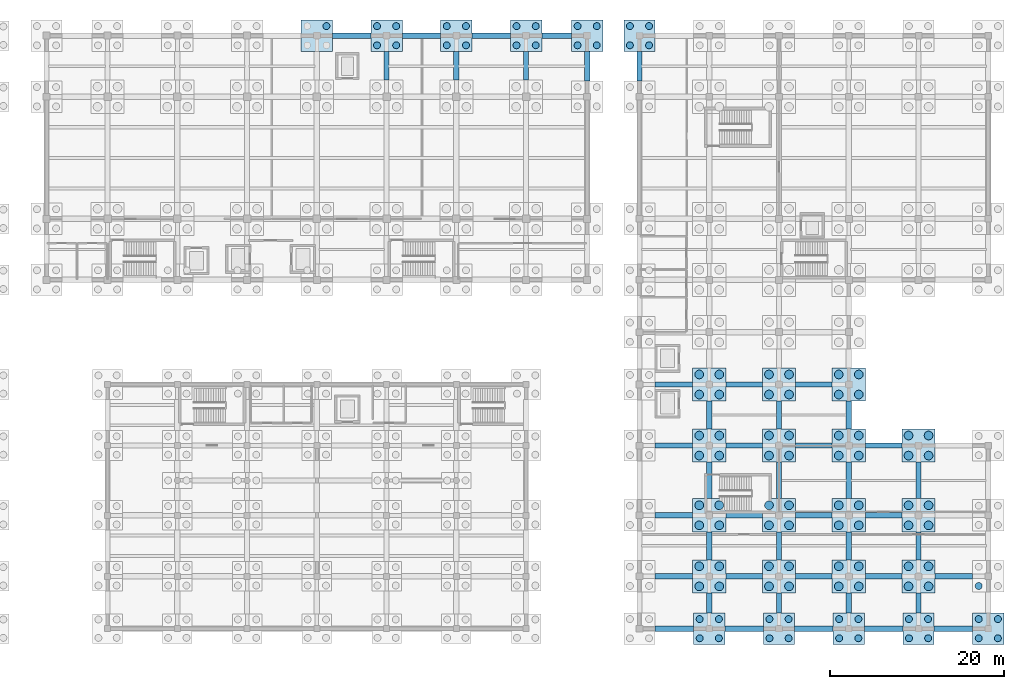
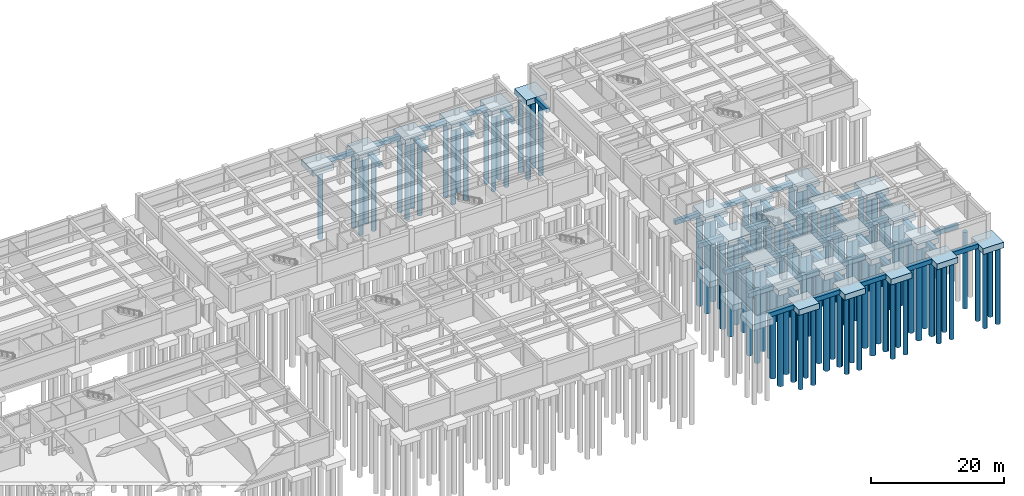
# One storey, part 6 of 28: 102 piles, 71 footings.
"""IFC4 building model written with IfcOpenShell, lengths in metres."""

from ifc_helpers import new_model, si_unit, direction, frame, origin, origin_2d, place, context, subcontext, project, spatial, rectangle, circle, extrude, material, material_profile, profile_set, type_object, element, save


model = new_model("IFC4")

# Units and contexts
model_context = context("Model", 3, precision=1e-05, world=origin(), true_north=direction((0.0, 1.0)))
body_context = subcontext(model_context, "Body", "Model", "MODEL_VIEW")
ifc_project = project(units=[si_unit("LENGTHUNIT", "METRE"), si_unit("AREAUNIT", "SQUARE_METRE"), si_unit("VOLUMEUNIT", "CUBIC_METRE"), si_unit("PLANEANGLEUNIT", "RADIAN"), si_unit("MASSUNIT", "GRAM", prefix="KILO")], contexts=[model_context])

# Site, building, storey
site_placement = place(None, origin())
site = spatial("IfcSite", under=ifc_project, at=site_placement, CompositionType="ELEMENT")
building_placement = place(site_placement, origin())
building = spatial("IfcBuilding", under=site, at=building_placement, Name="Naurynzar Civic Courthouse", CompositionType="ELEMENT")
storey_placement = place(building_placement, frame((0.0, 0.0, -4.5)))
storey = spatial("IfcBuildingStorey", under=building, at=storey_placement, Name="B01", CompositionType="ELEMENT", Elevation=-4.5)

# Footings
ifc_material_1 = material(Name="Concrete C35/45", Category="concrete")
footing_type_1 = type_object("IfcFootingType", Name="CAP-4B-3800", PredefinedType="PILE_CAP", material=ifc_material_1)
for number, where, z_axis, x_axis, name in (
    (1, (138.0, 10.0, -1.449951171875), (0.0, 0.0, 1.0), (1.0, 0.0, 0.0), "V5 pile cap 12"),
    (2, (138.0, 17.0, -1.449951171875), (0.0, 0.0, 1.0), (1.0, 0.0, 0.0), "V5 pile cap 13"),
    (3, (138.0, 25.0, -1.449951171875), (0.0, 0.0, 1.0), (1.0, 0.0, 0.0), "V5 pile cap 14"),
    (4, (138.0, 32.0, -1.449951171875), (0.0, 0.0, 1.0), (1.0, 0.0, 0.0), "V5 pile cap 15"),
    (5, (146.0, 10.0, -1.449951171875), (0.0, 0.0, 1.0), (1.0, 0.0, 0.0), "V5 pile cap 22"),
    (6, (146.0, 17.0, -1.449951171875), (0.0, 0.0, 1.0), (1.0, 0.0, 0.0), "V5 pile cap 23"),
    (7, (146.0, 25.0, -1.449951171875), (0.0, 0.0, 1.0), (1.0, 0.0, 0.0), "V5 pile cap 24"),
    (8, (146.0, 32.0, -1.449951171875), (0.0, 0.0, 1.0), (1.0, 0.0, 0.0), "V5 pile cap 25"),
    (9, (154.0, 10.0, -1.449951171875), (0.0, 0.0, 1.0), (1.0, 0.0, 0.0), "V5 pile cap 32"),
    (10, (154.0, 17.0, -1.449951171875), (0.0, 0.0, 1.0), (1.0, 0.0, 0.0), "V5 pile cap 33"),
    (11, (154.0, 25.0, -1.449951171875), (0.0, 0.0, 1.0), (1.0, 0.0, 0.0), "V5 pile cap 34"),
    (12, (154.0, 32.0, -1.449951171875), (0.0, 0.0, 1.0), (1.0, 0.0, 0.0), "V5 pile cap 35"),
    (13, (162.0, 10.0, -1.449951171875), (0.0, 0.0, 1.0), (1.0, 0.0, 0.0), "V5 pile cap 42"),
    (14, (162.0, 17.0, -1.449951171875), (0.0, 0.0, 1.0), (1.0, 0.0, 0.0), "V5 pile cap 43"),
    (15, (162.0, 25.0, -1.449951171875), (0.0, 0.0, 1.0), (1.0, 0.0, 0.0), "V5 pile cap 44"),
):
    element("IfcFooting", number, at=place(storey_placement, frame(where, z_axis=z_axis, x_axis=x_axis)), inside=storey, type_object=footing_type_1, Name=name, PredefinedType="PILE_CAP", context=body_context, shape_type="SweptSolid", body=[
        extrude(rectangle(XDim=3.800048828125, YDim=3.800048828125, at=origin_2d()), origin(), (0.0, 0.0, 1.0), 1.0),
    ])
ifc_material_2 = material(Name="Concrete C35/45", Category="concrete")
footing_type_2 = type_object("IfcFootingType", Name="CAP-4C-3600", PredefinedType="PILE_CAP", material=ifc_material_2)
for number, where, z_axis, x_axis, name in (
    (16, (93.0, 72.0, -1.5), (0.0, 0.0, 1.0), (1.0, 0.0, 0.0), "V2 pile cap 20"),
    (17, (101.0, 72.0, -1.5), (0.0, 0.0, 1.0), (1.0, 0.0, 0.0), "V2 pile cap 24"),
    (18, (109.0, 72.0, -1.5), (0.0, 0.0, 1.0), (1.0, 0.0, 0.0), "V2 pile cap 28"),
    (19, (117.0, 72.0, -1.5), (0.0, 0.0, 1.0), (1.0, 0.0, 0.0), "V2 pile cap 32"),
    (20, (124.0, 72.0, -1.5), (0.0, 0.0, 1.0), (1.0, 0.0, 0.0), "V2 pile cap 36"),
    (21, (130.0, 72.0, -1.5), (0.0, 0.0, 1.0), (1.0, 0.0, 0.0), "V5 pile cap 10"),
    (22, (138.0, 4.0, -1.5), (0.0, 0.0, 1.0), (1.0, 0.0, 0.0), "V5 pile cap 11"),
    (23, (146.0, 4.0, -1.5), (0.0, 0.0, 1.0), (1.0, 0.0, 0.0), "V5 pile cap 21"),
    (24, (154.0, 4.0, -1.5), (0.0, 0.0, 1.0), (1.0, 0.0, 0.0), "V5 pile cap 31"),
    (25, (162.0, 4.0, -1.5), (0.0, 0.0, 1.0), (1.0, 0.0, 0.0), "V5 pile cap 41"),
    (26, (170.0, 4.0, -1.5), (0.0, 0.0, 1.0), (1.0, 0.0, 0.0), "V5 pile cap 49"),
):
    element("IfcFooting", number, at=place(storey_placement, frame(where, z_axis=z_axis, x_axis=x_axis)), inside=storey, type_object=footing_type_2, Name=name, PredefinedType="PILE_CAP", context=body_context, shape_type="SweptSolid", body=[
        extrude(rectangle(XDim=3.60009765625, YDim=3.60009765625, at=origin_2d()), origin(), (0.0, 0.0, 1.0), 1.050048828125),
    ])
ifc_material_3 = material(Name="Concrete C35/45", Category="concrete")
ifc_material_profile_1 = material_profile(ifc_material_3, rectangle(XDim=0.60009765625, YDim=0.800048828125, at=origin_2d()), Name="GB 600x800")
ifc_profile_set_1 = profile_set([ifc_material_profile_1], Name="Concrete C35/45")
footing_type_3 = type_object("IfcFootingType", Name="GB-600x800", PredefinedType="FOOTING_BEAM", material=ifc_profile_set_1)
for number, where, z_axis, x_axis, name in (
    (27, (94.800048828125, 72.0, -0.85009765625), (1.0, 0.0, 0.0), (0.0, 1.0, 0.0), "V2 ground tie beam X-29"),
    (28, (102.800048828125, 72.0, -0.85009765625), (1.0, 0.0, 0.0), (0.0, 1.0, 0.0), "V2 ground tie beam X-30"),
    (29, (110.800048828125, 72.0, -0.85009765625), (1.0, 0.0, 0.0), (0.0, 1.0, 0.0), "V2 ground tie beam X-31"),
):
    element("IfcFooting", number, at=place(storey_placement, frame(where, z_axis=z_axis, x_axis=x_axis)), inside=storey, type_object=footing_type_3, Name=name, PredefinedType="FOOTING_BEAM", context=body_context, shape_type="SweptSolid", body=[
        extrude(rectangle(XDim=0.60009765625, YDim=0.800048828125, at=origin_2d()), origin(), (0.0, 0.0, 1.0), 4.39990234375),
    ])
footing_1_placement = place(storey_placement, frame((118.800048828125, 72.0, -0.85009765625), z_axis=(1.0, 0.0, 0.0), x_axis=(0.0, 1.0, 0.0)))
element("IfcFooting", 30, at=footing_1_placement, inside=storey, type_object=footing_type_3, Name="V2 ground tie beam X-32", PredefinedType="FOOTING_BEAM", context=body_context, shape_type="SweptSolid", body=[
    extrude(rectangle(XDim=0.60009765625, YDim=0.800048828125, at=origin_2d()), origin(), (0.0, 0.0, 1.0), 3.39990234375),
])
for number, where, z_axis, x_axis, name in (
    (31, (101.0, 66.89990234375, -0.85009765625), (0.0, 1.0, 0.0), (-1.0, 0.0, 0.0), "V2 ground tie beam Y-50"),
    (32, (109.0, 66.89990234375, -0.85009765625), (0.0, 1.0, 0.0), (-1.0, 0.0, 0.0), "V2 ground tie beam Y-53"),
    (33, (117.0, 66.89990234375, -0.85009765625), (0.0, 1.0, 0.0), (-1.0, 0.0, 0.0), "V2 ground tie beam Y-56"),
):
    element("IfcFooting", number, at=place(storey_placement, frame(where, z_axis=z_axis, x_axis=x_axis)), inside=storey, type_object=footing_type_3, Name=name, PredefinedType="FOOTING_BEAM", context=body_context, shape_type="SweptSolid", body=[
        extrude(rectangle(XDim=0.60009765625, YDim=0.800048828125, at=origin_2d()), origin(), (0.0, 0.0, 1.0), 3.300048828125),
    ])
footing_2_placement = place(storey_placement, frame((124.0, 66.800048828125, -0.85009765625), z_axis=(0.0, 1.0, 0.0), x_axis=(-1.0, 0.0, 0.0)))
element("IfcFooting", 34, at=footing_2_placement, inside=storey, type_object=footing_type_3, Name="V2 ground tie beam Y-59", PredefinedType="FOOTING_BEAM", context=body_context, shape_type="SweptSolid", body=[
    extrude(rectangle(XDim=0.60009765625, YDim=0.800048828125, at=origin_2d()), origin(), (0.0, 0.0, 1.0), 3.39990234375),
])
for number, where, z_axis, x_axis, name in (
    (35, (131.800048828125, 4.0, -0.85009765625), (1.0, 0.0, 0.0), (0.0, 1.0, 0.0), "V5 ground tie beam X-1"),
    (36, (139.800048828125, 4.0, -0.85009765625), (1.0, 0.0, 0.0), (0.0, 1.0, 0.0), "V5 ground tie beam X-2"),
    (37, (147.800048828125, 4.0, -0.85009765625), (1.0, 0.0, 0.0), (0.0, 1.0, 0.0), "V5 ground tie beam X-3"),
    (38, (155.800048828125, 4.0, -0.85009765625), (1.0, 0.0, 0.0), (0.0, 1.0, 0.0), "V5 ground tie beam X-4"),
    (39, (163.800048828125, 4.0, -0.85009765625), (1.0, 0.0, 0.0), (0.0, 1.0, 0.0), "V5 ground tie beam X-5"),
):
    element("IfcFooting", number, at=place(storey_placement, frame(where, z_axis=z_axis, x_axis=x_axis)), inside=storey, type_object=footing_type_3, Name=name, PredefinedType="FOOTING_BEAM", context=body_context, shape_type="SweptSolid", body=[
        extrude(rectangle(XDim=0.60009765625, YDim=0.800048828125, at=origin_2d()), origin(), (0.0, 0.0, 1.0), 4.39990234375),
    ])
footing_3_placement = place(storey_placement, frame((131.800048828125, 10.0, -0.85009765625), z_axis=(1.0, 0.0, 0.0), x_axis=(0.0, 1.0, 0.0)))
element("IfcFooting", 40, at=footing_3_placement, inside=storey, type_object=footing_type_3, Name="V5 ground tie beam X-6", PredefinedType="FOOTING_BEAM", context=body_context, shape_type="SweptSolid", body=[
    extrude(rectangle(XDim=0.60009765625, YDim=0.800048828125, at=origin_2d()), origin(), (0.0, 0.0, 1.0), 4.300048828125),
])
for number, where, z_axis, x_axis, name in (
    (41, (139.89990234375, 10.0, -0.85009765625), (1.0, 0.0, 0.0), (0.0, 1.0, 0.0), "V5 ground tie beam X-7"),
    (42, (147.89990234375, 10.0, -0.85009765625), (1.0, 0.0, 0.0), (0.0, 1.0, 0.0), "V5 ground tie beam X-8"),
    (43, (155.89990234375, 10.0, -0.85009765625), (1.0, 0.0, 0.0), (0.0, 1.0, 0.0), "V5 ground tie beam X-9"),
):
    element("IfcFooting", number, at=place(storey_placement, frame(where, z_axis=z_axis, x_axis=x_axis)), inside=storey, type_object=footing_type_3, Name=name, PredefinedType="FOOTING_BEAM", context=body_context, shape_type="SweptSolid", body=[
        extrude(rectangle(XDim=0.60009765625, YDim=0.800048828125, at=origin_2d()), origin(), (0.0, 0.0, 1.0), 4.2001953125),
    ])
for number, where, z_axis, x_axis, name in (
    (44, (163.89990234375, 10.0, -0.85009765625), (1.0, 0.0, 0.0), (0.0, 1.0, 0.0), "V5 ground tie beam X-10"),
    (45, (131.800048828125, 17.0, -0.85009765625), (1.0, 0.0, 0.0), (0.0, 1.0, 0.0), "V5 ground tie beam X-11"),
):
    element("IfcFooting", number, at=place(storey_placement, frame(where, z_axis=z_axis, x_axis=x_axis)), inside=storey, type_object=footing_type_3, Name=name, PredefinedType="FOOTING_BEAM", context=body_context, shape_type="SweptSolid", body=[
        extrude(rectangle(XDim=0.60009765625, YDim=0.800048828125, at=origin_2d()), origin(), (0.0, 0.0, 1.0), 4.300048828125),
    ])
for number, where, z_axis, x_axis, name in (
    (46, (139.89990234375, 17.0, -0.85009765625), (1.0, 0.0, 0.0), (0.0, 1.0, 0.0), "V5 ground tie beam X-12"),
    (47, (147.89990234375, 17.0, -0.85009765625), (1.0, 0.0, 0.0), (0.0, 1.0, 0.0), "V5 ground tie beam X-13"),
    (48, (155.89990234375, 17.0, -0.85009765625), (1.0, 0.0, 0.0), (0.0, 1.0, 0.0), "V5 ground tie beam X-14"),
):
    element("IfcFooting", number, at=place(storey_placement, frame(where, z_axis=z_axis, x_axis=x_axis)), inside=storey, type_object=footing_type_3, Name=name, PredefinedType="FOOTING_BEAM", context=body_context, shape_type="SweptSolid", body=[
        extrude(rectangle(XDim=0.60009765625, YDim=0.800048828125, at=origin_2d()), origin(), (0.0, 0.0, 1.0), 4.2001953125),
    ])
footing_4_placement = place(storey_placement, frame((131.800048828125, 25.0, -0.85009765625), z_axis=(1.0, 0.0, 0.0), x_axis=(0.0, 1.0, 0.0)))
element("IfcFooting", 49, at=footing_4_placement, inside=storey, type_object=footing_type_3, Name="V5 ground tie beam X-16", PredefinedType="FOOTING_BEAM", context=body_context, shape_type="SweptSolid", body=[
    extrude(rectangle(XDim=0.60009765625, YDim=0.800048828125, at=origin_2d()), origin(), (0.0, 0.0, 1.0), 4.300048828125),
])
for number, where, z_axis, x_axis, name in (
    (50, (139.89990234375, 25.0, -0.85009765625), (1.0, 0.0, 0.0), (0.0, 1.0, 0.0), "V5 ground tie beam X-17"),
    (51, (147.89990234375, 25.0, -0.85009765625), (1.0, 0.0, 0.0), (0.0, 1.0, 0.0), "V5 ground tie beam X-18"),
    (52, (155.89990234375, 25.0, -0.85009765625), (1.0, 0.0, 0.0), (0.0, 1.0, 0.0), "V5 ground tie beam X-19"),
):
    element("IfcFooting", number, at=place(storey_placement, frame(where, z_axis=z_axis, x_axis=x_axis)), inside=storey, type_object=footing_type_3, Name=name, PredefinedType="FOOTING_BEAM", context=body_context, shape_type="SweptSolid", body=[
        extrude(rectangle(XDim=0.60009765625, YDim=0.800048828125, at=origin_2d()), origin(), (0.0, 0.0, 1.0), 4.2001953125),
    ])
footing_5_placement = place(storey_placement, frame((131.800048828125, 32.0, -0.85009765625), z_axis=(1.0, 0.0, 0.0), x_axis=(0.0, 1.0, 0.0)))
element("IfcFooting", 53, at=footing_5_placement, inside=storey, type_object=footing_type_3, Name="V5 ground tie beam X-21", PredefinedType="FOOTING_BEAM", context=body_context, shape_type="SweptSolid", body=[
    extrude(rectangle(XDim=0.60009765625, YDim=0.800048828125, at=origin_2d()), origin(), (0.0, 0.0, 1.0), 4.300048828125),
])
for number, where, z_axis, x_axis, name in (
    (54, (139.89990234375, 32.0, -0.85009765625), (1.0, 0.0, 0.0), (0.0, 1.0, 0.0), "V5 ground tie beam X-22"),
    (55, (147.89990234375, 32.0, -0.85009765625), (1.0, 0.0, 0.0), (0.0, 1.0, 0.0), "V5 ground tie beam X-23"),
):
    element("IfcFooting", number, at=place(storey_placement, frame(where, z_axis=z_axis, x_axis=x_axis)), inside=storey, type_object=footing_type_3, Name=name, PredefinedType="FOOTING_BEAM", context=body_context, shape_type="SweptSolid", body=[
        extrude(rectangle(XDim=0.60009765625, YDim=0.800048828125, at=origin_2d()), origin(), (0.0, 0.0, 1.0), 4.2001953125),
    ])
footing_6_placement = place(storey_placement, frame((130.0, 66.800048828125, -0.85009765625), z_axis=(0.0, 1.0, 0.0), x_axis=(-1.0, 0.0, 0.0)))
element("IfcFooting", 56, at=footing_6_placement, inside=storey, type_object=footing_type_3, Name="V5 ground tie beam Y-55", PredefinedType="FOOTING_BEAM", context=body_context, shape_type="SweptSolid", body=[
    extrude(rectangle(XDim=0.60009765625, YDim=0.800048828125, at=origin_2d()), origin(), (0.0, 0.0, 1.0), 3.39990234375),
])
footing_7_placement = place(storey_placement, frame((138.0, 5.800048828125, -0.85009765625), z_axis=(0.0, 1.0, 0.0), x_axis=(-1.0, 0.0, 0.0)))
element("IfcFooting", 57, at=footing_7_placement, inside=storey, type_object=footing_type_3, Name="V5 ground tie beam Y-56", PredefinedType="FOOTING_BEAM", context=body_context, shape_type="SweptSolid", body=[
    extrude(rectangle(XDim=0.60009765625, YDim=0.800048828125, at=origin_2d()), origin(), (0.0, 0.0, 1.0), 2.300048828125),
])
footing_8_placement = place(storey_placement, frame((138.0, 11.89990234375, -0.85009765625), z_axis=(0.0, 1.0, 0.0), x_axis=(-1.0, 0.0, 0.0)))
element("IfcFooting", 58, at=footing_8_placement, inside=storey, type_object=footing_type_3, Name="V5 ground tie beam Y-57", PredefinedType="FOOTING_BEAM", context=body_context, shape_type="SweptSolid", body=[
    extrude(rectangle(XDim=0.60009765625, YDim=0.800048828125, at=origin_2d()), origin(), (0.0, 0.0, 1.0), 3.2001953125),
])
footing_9_placement = place(storey_placement, frame((138.0, 18.89990234375, -0.85009765625), z_axis=(0.0, 1.0, 0.0), x_axis=(-1.0, 0.0, 0.0)))
element("IfcFooting", 59, at=footing_9_placement, inside=storey, type_object=footing_type_3, Name="V5 ground tie beam Y-58", PredefinedType="FOOTING_BEAM", context=body_context, shape_type="SweptSolid", body=[
    extrude(rectangle(XDim=0.60009765625, YDim=0.800048828125, at=origin_2d()), origin(), (0.0, 0.0, 1.0), 4.2001953125),
])
footing_10_placement = place(storey_placement, frame((138.0, 26.89990234375, -0.85009765625), z_axis=(0.0, 1.0, 0.0), x_axis=(-1.0, 0.0, 0.0)))
element("IfcFooting", 60, at=footing_10_placement, inside=storey, type_object=footing_type_3, Name="V5 ground tie beam Y-59", PredefinedType="FOOTING_BEAM", context=body_context, shape_type="SweptSolid", body=[
    extrude(rectangle(XDim=0.60009765625, YDim=0.800048828125, at=origin_2d()), origin(), (0.0, 0.0, 1.0), 3.2001953125),
])
footing_11_placement = place(storey_placement, frame((146.0, 5.800048828125, -0.85009765625), z_axis=(0.0, 1.0, 0.0), x_axis=(-1.0, 0.0, 0.0)))
element("IfcFooting", 61, at=footing_11_placement, inside=storey, type_object=footing_type_3, Name="V5 ground tie beam Y-65", PredefinedType="FOOTING_BEAM", context=body_context, shape_type="SweptSolid", body=[
    extrude(rectangle(XDim=0.60009765625, YDim=0.800048828125, at=origin_2d()), origin(), (0.0, 0.0, 1.0), 2.300048828125),
])
footing_12_placement = place(storey_placement, frame((146.0, 11.89990234375, -0.85009765625), z_axis=(0.0, 1.0, 0.0), x_axis=(-1.0, 0.0, 0.0)))
element("IfcFooting", 62, at=footing_12_placement, inside=storey, type_object=footing_type_3, Name="V5 ground tie beam Y-66", PredefinedType="FOOTING_BEAM", context=body_context, shape_type="SweptSolid", body=[
    extrude(rectangle(XDim=0.60009765625, YDim=0.800048828125, at=origin_2d()), origin(), (0.0, 0.0, 1.0), 3.2001953125),
])
footing_13_placement = place(storey_placement, frame((146.0, 18.89990234375, -0.85009765625), z_axis=(0.0, 1.0, 0.0), x_axis=(-1.0, 0.0, 0.0)))
element("IfcFooting", 63, at=footing_13_placement, inside=storey, type_object=footing_type_3, Name="V5 ground tie beam Y-67", PredefinedType="FOOTING_BEAM", context=body_context, shape_type="SweptSolid", body=[
    extrude(rectangle(XDim=0.60009765625, YDim=0.800048828125, at=origin_2d()), origin(), (0.0, 0.0, 1.0), 4.2001953125),
])
footing_14_placement = place(storey_placement, frame((146.0, 26.89990234375, -0.85009765625), z_axis=(0.0, 1.0, 0.0), x_axis=(-1.0, 0.0, 0.0)))
element("IfcFooting", 64, at=footing_14_placement, inside=storey, type_object=footing_type_3, Name="V5 ground tie beam Y-68", PredefinedType="FOOTING_BEAM", context=body_context, shape_type="SweptSolid", body=[
    extrude(rectangle(XDim=0.60009765625, YDim=0.800048828125, at=origin_2d()), origin(), (0.0, 0.0, 1.0), 3.2001953125),
])
footing_15_placement = place(storey_placement, frame((154.0, 5.800048828125, -0.85009765625), z_axis=(0.0, 1.0, 0.0), x_axis=(-1.0, 0.0, 0.0)))
element("IfcFooting", 65, at=footing_15_placement, inside=storey, type_object=footing_type_3, Name="V5 ground tie beam Y-74", PredefinedType="FOOTING_BEAM", context=body_context, shape_type="SweptSolid", body=[
    extrude(rectangle(XDim=0.60009765625, YDim=0.800048828125, at=origin_2d()), origin(), (0.0, 0.0, 1.0), 2.300048828125),
])
footing_16_placement = place(storey_placement, frame((154.0, 11.89990234375, -0.85009765625), z_axis=(0.0, 1.0, 0.0), x_axis=(-1.0, 0.0, 0.0)))
element("IfcFooting", 66, at=footing_16_placement, inside=storey, type_object=footing_type_3, Name="V5 ground tie beam Y-75", PredefinedType="FOOTING_BEAM", context=body_context, shape_type="SweptSolid", body=[
    extrude(rectangle(XDim=0.60009765625, YDim=0.800048828125, at=origin_2d()), origin(), (0.0, 0.0, 1.0), 3.2001953125),
])
footing_17_placement = place(storey_placement, frame((154.0, 18.89990234375, -0.85009765625), z_axis=(0.0, 1.0, 0.0), x_axis=(-1.0, 0.0, 0.0)))
element("IfcFooting", 67, at=footing_17_placement, inside=storey, type_object=footing_type_3, Name="V5 ground tie beam Y-76", PredefinedType="FOOTING_BEAM", context=body_context, shape_type="SweptSolid", body=[
    extrude(rectangle(XDim=0.60009765625, YDim=0.800048828125, at=origin_2d()), origin(), (0.0, 0.0, 1.0), 4.2001953125),
])
footing_18_placement = place(storey_placement, frame((154.0, 26.89990234375, -0.85009765625), z_axis=(0.0, 1.0, 0.0), x_axis=(-1.0, 0.0, 0.0)))
element("IfcFooting", 68, at=footing_18_placement, inside=storey, type_object=footing_type_3, Name="V5 ground tie beam Y-77", PredefinedType="FOOTING_BEAM", context=body_context, shape_type="SweptSolid", body=[
    extrude(rectangle(XDim=0.60009765625, YDim=0.800048828125, at=origin_2d()), origin(), (0.0, 0.0, 1.0), 3.2001953125),
])
footing_19_placement = place(storey_placement, frame((162.0, 5.800048828125, -0.85009765625), z_axis=(0.0, 1.0, 0.0), x_axis=(-1.0, 0.0, 0.0)))
element("IfcFooting", 69, at=footing_19_placement, inside=storey, type_object=footing_type_3, Name="V5 ground tie beam Y-83", PredefinedType="FOOTING_BEAM", context=body_context, shape_type="SweptSolid", body=[
    extrude(rectangle(XDim=0.60009765625, YDim=0.800048828125, at=origin_2d()), origin(), (0.0, 0.0, 1.0), 2.300048828125),
])
footing_20_placement = place(storey_placement, frame((162.0, 11.89990234375, -0.85009765625), z_axis=(0.0, 1.0, 0.0), x_axis=(-1.0, 0.0, 0.0)))
element("IfcFooting", 70, at=footing_20_placement, inside=storey, type_object=footing_type_3, Name="V5 ground tie beam Y-84", PredefinedType="FOOTING_BEAM", context=body_context, shape_type="SweptSolid", body=[
    extrude(rectangle(XDim=0.60009765625, YDim=0.800048828125, at=origin_2d()), origin(), (0.0, 0.0, 1.0), 3.2001953125),
])
footing_21_placement = place(storey_placement, frame((162.0, 18.89990234375, -0.85009765625), z_axis=(0.0, 1.0, 0.0), x_axis=(-1.0, 0.0, 0.0)))
element("IfcFooting", 71, at=footing_21_placement, inside=storey, type_object=footing_type_3, Name="V5 ground tie beam Y-85", PredefinedType="FOOTING_BEAM", context=body_context, shape_type="SweptSolid", body=[
    extrude(rectangle(XDim=0.60009765625, YDim=0.800048828125, at=origin_2d()), origin(), (0.0, 0.0, 1.0), 4.2001953125),
])

# Piles
ifc_material_4 = material(Name="Concrete C35/45", Category="concrete")
ifc_material_profile_2 = material_profile(ifc_material_4, circle(Radius=0.5, at=origin_2d()), Name="PILE D1000")
ifc_profile_set_2 = profile_set([ifc_material_profile_2], Name="Concrete C35/45")
pile_type_1 = type_object("IfcPileType", Name="PILE-BORED-D1000", PredefinedType="BORED", material=ifc_profile_set_2)
for number, where, z_axis, x_axis, name in (
    (72, (136.85009765625, 8.85009765625, -1.449951171875), (0.0, 0.0, -1.0), (1.0, 0.0, 0.0), "V5 bored pile 12.1"),
    (73, (139.14990234375, 8.85009765625, -1.449951171875), (0.0, 0.0, -1.0), (1.0, 0.0, 0.0), "V5 bored pile 12.2"),
    (74, (136.85009765625, 11.14990234375, -1.449951171875), (0.0, 0.0, -1.0), (1.0, 0.0, 0.0), "V5 bored pile 12.3"),
    (75, (139.14990234375, 11.14990234375, -1.449951171875), (0.0, 0.0, -1.0), (1.0, 0.0, 0.0), "V5 bored pile 12.4"),
    (76, (136.85009765625, 15.85009765625, -1.449951171875), (0.0, 0.0, -1.0), (1.0, 0.0, 0.0), "V5 bored pile 13.1"),
    (77, (139.14990234375, 15.85009765625, -1.449951171875), (0.0, 0.0, -1.0), (1.0, 0.0, 0.0), "V5 bored pile 13.2"),
    (78, (136.85009765625, 18.14990234375, -1.449951171875), (0.0, 0.0, -1.0), (1.0, 0.0, 0.0), "V5 bored pile 13.3"),
    (79, (139.14990234375, 18.14990234375, -1.449951171875), (0.0, 0.0, -1.0), (1.0, 0.0, 0.0), "V5 bored pile 13.4"),
    (80, (136.85009765625, 23.85009765625, -1.449951171875), (0.0, 0.0, -1.0), (1.0, 0.0, 0.0), "V5 bored pile 14.1"),
    (81, (139.14990234375, 23.85009765625, -1.449951171875), (0.0, 0.0, -1.0), (1.0, 0.0, 0.0), "V5 bored pile 14.2"),
    (82, (136.85009765625, 26.14990234375, -1.449951171875), (0.0, 0.0, -1.0), (1.0, 0.0, 0.0), "V5 bored pile 14.3"),
    (83, (139.14990234375, 26.14990234375, -1.449951171875), (0.0, 0.0, -1.0), (1.0, 0.0, 0.0), "V5 bored pile 14.4"),
    (84, (136.85009765625, 30.85009765625, -1.449951171875), (0.0, 0.0, -1.0), (1.0, 0.0, 0.0), "V5 bored pile 15.1"),
    (85, (139.14990234375, 30.85009765625, -1.449951171875), (0.0, 0.0, -1.0), (1.0, 0.0, 0.0), "V5 bored pile 15.2"),
    (86, (136.85009765625, 33.14990234375, -1.449951171875), (0.0, 0.0, -1.0), (1.0, 0.0, 0.0), "V5 bored pile 15.3"),
    (87, (139.14990234375, 33.14990234375, -1.449951171875), (0.0, 0.0, -1.0), (1.0, 0.0, 0.0), "V5 bored pile 15.4"),
    (88, (144.85009765625, 8.85009765625, -1.449951171875), (0.0, 0.0, -1.0), (1.0, 0.0, 0.0), "V5 bored pile 22.1"),
    (89, (147.14990234375, 8.85009765625, -1.449951171875), (0.0, 0.0, -1.0), (1.0, 0.0, 0.0), "V5 bored pile 22.2"),
    (90, (144.85009765625, 11.14990234375, -1.449951171875), (0.0, 0.0, -1.0), (1.0, 0.0, 0.0), "V5 bored pile 22.3"),
    (91, (147.14990234375, 11.14990234375, -1.449951171875), (0.0, 0.0, -1.0), (1.0, 0.0, 0.0), "V5 bored pile 22.4"),
    (92, (144.85009765625, 15.85009765625, -1.449951171875), (0.0, 0.0, -1.0), (1.0, 0.0, 0.0), "V5 bored pile 23.1"),
    (93, (147.14990234375, 15.85009765625, -1.449951171875), (0.0, 0.0, -1.0), (1.0, 0.0, 0.0), "V5 bored pile 23.2"),
    (94, (144.85009765625, 18.14990234375, -1.449951171875), (0.0, 0.0, -1.0), (1.0, 0.0, 0.0), "V5 bored pile 23.3"),
    (95, (147.14990234375, 18.14990234375, -1.449951171875), (0.0, 0.0, -1.0), (1.0, 0.0, 0.0), "V5 bored pile 23.4"),
    (96, (144.85009765625, 23.85009765625, -1.449951171875), (0.0, 0.0, -1.0), (1.0, 0.0, 0.0), "V5 bored pile 24.1"),
    (97, (147.14990234375, 23.85009765625, -1.449951171875), (0.0, 0.0, -1.0), (1.0, 0.0, 0.0), "V5 bored pile 24.2"),
    (98, (144.85009765625, 26.14990234375, -1.449951171875), (0.0, 0.0, -1.0), (1.0, 0.0, 0.0), "V5 bored pile 24.3"),
    (99, (147.14990234375, 26.14990234375, -1.449951171875), (0.0, 0.0, -1.0), (1.0, 0.0, 0.0), "V5 bored pile 24.4"),
    (100, (144.85009765625, 30.85009765625, -1.449951171875), (0.0, 0.0, -1.0), (1.0, 0.0, 0.0), "V5 bored pile 25.1"),
    (101, (147.14990234375, 30.85009765625, -1.449951171875), (0.0, 0.0, -1.0), (1.0, 0.0, 0.0), "V5 bored pile 25.2"),
    (102, (144.85009765625, 33.14990234375, -1.449951171875), (0.0, 0.0, -1.0), (1.0, 0.0, 0.0), "V5 bored pile 25.3"),
    (103, (147.14990234375, 33.14990234375, -1.449951171875), (0.0, 0.0, -1.0), (1.0, 0.0, 0.0), "V5 bored pile 25.4"),
    (104, (152.85009765625, 8.85009765625, -1.449951171875), (0.0, 0.0, -1.0), (1.0, 0.0, 0.0), "V5 bored pile 32.1"),
    (105, (155.14990234375, 8.85009765625, -1.449951171875), (0.0, 0.0, -1.0), (1.0, 0.0, 0.0), "V5 bored pile 32.2"),
    (106, (152.85009765625, 11.14990234375, -1.449951171875), (0.0, 0.0, -1.0), (1.0, 0.0, 0.0), "V5 bored pile 32.3"),
    (107, (155.14990234375, 11.14990234375, -1.449951171875), (0.0, 0.0, -1.0), (1.0, 0.0, 0.0), "V5 bored pile 32.4"),
    (108, (152.85009765625, 15.85009765625, -1.449951171875), (0.0, 0.0, -1.0), (1.0, 0.0, 0.0), "V5 bored pile 33.1"),
    (109, (155.14990234375, 15.85009765625, -1.449951171875), (0.0, 0.0, -1.0), (1.0, 0.0, 0.0), "V5 bored pile 33.2"),
    (110, (152.85009765625, 18.14990234375, -1.449951171875), (0.0, 0.0, -1.0), (1.0, 0.0, 0.0), "V5 bored pile 33.3"),
    (111, (155.14990234375, 18.14990234375, -1.449951171875), (0.0, 0.0, -1.0), (1.0, 0.0, 0.0), "V5 bored pile 33.4"),
    (112, (152.85009765625, 23.85009765625, -1.449951171875), (0.0, 0.0, -1.0), (1.0, 0.0, 0.0), "V5 bored pile 34.1"),
    (113, (155.14990234375, 23.85009765625, -1.449951171875), (0.0, 0.0, -1.0), (1.0, 0.0, 0.0), "V5 bored pile 34.2"),
    (114, (152.85009765625, 26.14990234375, -1.449951171875), (0.0, 0.0, -1.0), (1.0, 0.0, 0.0), "V5 bored pile 34.3"),
    (115, (155.14990234375, 26.14990234375, -1.449951171875), (0.0, 0.0, -1.0), (1.0, 0.0, 0.0), "V5 bored pile 34.4"),
    (116, (152.85009765625, 30.85009765625, -1.449951171875), (0.0, 0.0, -1.0), (1.0, 0.0, 0.0), "V5 bored pile 35.1"),
    (117, (155.14990234375, 30.85009765625, -1.449951171875), (0.0, 0.0, -1.0), (1.0, 0.0, 0.0), "V5 bored pile 35.2"),
    (118, (152.85009765625, 33.14990234375, -1.449951171875), (0.0, 0.0, -1.0), (1.0, 0.0, 0.0), "V5 bored pile 35.3"),
    (119, (155.14990234375, 33.14990234375, -1.449951171875), (0.0, 0.0, -1.0), (1.0, 0.0, 0.0), "V5 bored pile 35.4"),
    (120, (160.85009765625, 8.85009765625, -1.449951171875), (0.0, 0.0, -1.0), (1.0, 0.0, 0.0), "V5 bored pile 42.1"),
    (121, (163.14990234375, 8.85009765625, -1.449951171875), (0.0, 0.0, -1.0), (1.0, 0.0, 0.0), "V5 bored pile 42.2"),
    (122, (160.85009765625, 11.14990234375, -1.449951171875), (0.0, 0.0, -1.0), (1.0, 0.0, 0.0), "V5 bored pile 42.3"),
    (123, (163.14990234375, 11.14990234375, -1.449951171875), (0.0, 0.0, -1.0), (1.0, 0.0, 0.0), "V5 bored pile 42.4"),
    (124, (160.85009765625, 15.85009765625, -1.449951171875), (0.0, 0.0, -1.0), (1.0, 0.0, 0.0), "V5 bored pile 43.1"),
    (125, (163.14990234375, 15.85009765625, -1.449951171875), (0.0, 0.0, -1.0), (1.0, 0.0, 0.0), "V5 bored pile 43.2"),
    (126, (160.85009765625, 18.14990234375, -1.449951171875), (0.0, 0.0, -1.0), (1.0, 0.0, 0.0), "V5 bored pile 43.3"),
    (127, (163.14990234375, 18.14990234375, -1.449951171875), (0.0, 0.0, -1.0), (1.0, 0.0, 0.0), "V5 bored pile 43.4"),
    (128, (160.85009765625, 23.85009765625, -1.449951171875), (0.0, 0.0, -1.0), (1.0, 0.0, 0.0), "V5 bored pile 44.1"),
    (129, (163.14990234375, 23.85009765625, -1.449951171875), (0.0, 0.0, -1.0), (1.0, 0.0, 0.0), "V5 bored pile 44.2"),
    (130, (160.85009765625, 26.14990234375, -1.449951171875), (0.0, 0.0, -1.0), (1.0, 0.0, 0.0), "V5 bored pile 44.3"),
    (131, (163.14990234375, 26.14990234375, -1.449951171875), (0.0, 0.0, -1.0), (1.0, 0.0, 0.0), "V5 bored pile 44.4"),
):
    element("IfcPile", number, at=place(storey_placement, frame(where, z_axis=z_axis, x_axis=x_axis)), inside=storey, type_object=pile_type_1, Name=name, PredefinedType="BORED", context=body_context, shape_type="SweptSolid", body=[
        extrude(circle(Radius=0.5, at=origin_2d()), origin(), (0.0, 0.0, 1.0), 17.0),
    ])
ifc_material_5 = material(Name="Concrete C35/45", Category="concrete")
ifc_material_profile_3 = material_profile(ifc_material_5, circle(Radius=0.39990234375, at=origin_2d()), Name="PILE D800")
ifc_profile_set_3 = profile_set([ifc_material_profile_3], Name="Concrete C35/45")
pile_type_2 = type_object("IfcPileType", Name="PILE-BORED-D800", PredefinedType="BORED", material=ifc_profile_set_3)
for number, where, z_axis, x_axis, name in (
    (132, (94.10009765625, 73.10009765625, -1.5), (0.0, 0.0, -1.0), (1.0, 0.0, 0.0), "V2 bored pile 20.4"),
    (133, (99.89990234375, 70.89990234375, -1.5), (0.0, 0.0, -1.0), (1.0, 0.0, 0.0), "V2 bored pile 24.1"),
    (134, (102.10009765625, 70.89990234375, -1.5), (0.0, 0.0, -1.0), (1.0, 0.0, 0.0), "V2 bored pile 24.2"),
    (135, (99.89990234375, 73.10009765625, -1.5), (0.0, 0.0, -1.0), (1.0, 0.0, 0.0), "V2 bored pile 24.3"),
    (136, (102.10009765625, 73.10009765625, -1.5), (0.0, 0.0, -1.0), (1.0, 0.0, 0.0), "V2 bored pile 24.4"),
    (137, (107.89990234375, 70.89990234375, -1.5), (0.0, 0.0, -1.0), (1.0, 0.0, 0.0), "V2 bored pile 28.1"),
    (138, (110.10009765625, 70.89990234375, -1.5), (0.0, 0.0, -1.0), (1.0, 0.0, 0.0), "V2 bored pile 28.2"),
    (139, (107.89990234375, 73.10009765625, -1.5), (0.0, 0.0, -1.0), (1.0, 0.0, 0.0), "V2 bored pile 28.3"),
    (140, (110.10009765625, 73.10009765625, -1.5), (0.0, 0.0, -1.0), (1.0, 0.0, 0.0), "V2 bored pile 28.4"),
    (141, (115.89990234375, 70.89990234375, -1.5), (0.0, 0.0, -1.0), (1.0, 0.0, 0.0), "V2 bored pile 32.1"),
    (142, (118.10009765625, 70.89990234375, -1.5), (0.0, 0.0, -1.0), (1.0, 0.0, 0.0), "V2 bored pile 32.2"),
    (143, (115.89990234375, 73.10009765625, -1.5), (0.0, 0.0, -1.0), (1.0, 0.0, 0.0), "V2 bored pile 32.3"),
    (144, (118.10009765625, 73.10009765625, -1.5), (0.0, 0.0, -1.0), (1.0, 0.0, 0.0), "V2 bored pile 32.4"),
    (145, (122.89990234375, 70.89990234375, -1.5), (0.0, 0.0, -1.0), (1.0, 0.0, 0.0), "V2 bored pile 36.1"),
    (146, (125.10009765625, 70.89990234375, -1.5), (0.0, 0.0, -1.0), (1.0, 0.0, 0.0), "V2 bored pile 36.2"),
    (147, (122.89990234375, 73.10009765625, -1.5), (0.0, 0.0, -1.0), (1.0, 0.0, 0.0), "V2 bored pile 36.3"),
    (148, (125.10009765625, 73.10009765625, -1.5), (0.0, 0.0, -1.0), (1.0, 0.0, 0.0), "V2 bored pile 36.4"),
    (149, (128.89990234375, 70.89990234375, -1.5), (0.0, 0.0, -1.0), (1.0, 0.0, 0.0), "V5 bored pile 10.1"),
    (150, (131.10009765625, 70.89990234375, -1.5), (0.0, 0.0, -1.0), (1.0, 0.0, 0.0), "V5 bored pile 10.2"),
    (151, (128.89990234375, 73.10009765625, -1.5), (0.0, 0.0, -1.0), (1.0, 0.0, 0.0), "V5 bored pile 10.3"),
    (152, (131.10009765625, 73.10009765625, -1.5), (0.0, 0.0, -1.0), (1.0, 0.0, 0.0), "V5 bored pile 10.4"),
    (153, (136.89990234375, 2.89990234375, -1.5), (0.0, 0.0, -1.0), (1.0, 0.0, 0.0), "V5 bored pile 11.1"),
    (154, (139.10009765625, 2.89990234375, -1.5), (0.0, 0.0, -1.0), (1.0, 0.0, 0.0), "V5 bored pile 11.2"),
    (155, (136.89990234375, 5.10009765625, -1.5), (0.0, 0.0, -1.0), (1.0, 0.0, 0.0), "V5 bored pile 11.3"),
    (156, (139.10009765625, 5.10009765625, -1.5), (0.0, 0.0, -1.0), (1.0, 0.0, 0.0), "V5 bored pile 11.4"),
    (157, (144.89990234375, 2.89990234375, -1.5), (0.0, 0.0, -1.0), (1.0, 0.0, 0.0), "V5 bored pile 21.1"),
    (158, (147.10009765625, 2.89990234375, -1.5), (0.0, 0.0, -1.0), (1.0, 0.0, 0.0), "V5 bored pile 21.2"),
    (159, (144.89990234375, 5.10009765625, -1.5), (0.0, 0.0, -1.0), (1.0, 0.0, 0.0), "V5 bored pile 21.3"),
    (160, (147.10009765625, 5.10009765625, -1.5), (0.0, 0.0, -1.0), (1.0, 0.0, 0.0), "V5 bored pile 21.4"),
    (161, (152.89990234375, 2.89990234375, -1.5), (0.0, 0.0, -1.0), (1.0, 0.0, 0.0), "V5 bored pile 31.1"),
    (162, (155.10009765625, 2.89990234375, -1.5), (0.0, 0.0, -1.0), (1.0, 0.0, 0.0), "V5 bored pile 31.2"),
    (163, (152.89990234375, 5.10009765625, -1.5), (0.0, 0.0, -1.0), (1.0, 0.0, 0.0), "V5 bored pile 31.3"),
    (164, (155.10009765625, 5.10009765625, -1.5), (0.0, 0.0, -1.0), (1.0, 0.0, 0.0), "V5 bored pile 31.4"),
    (165, (160.89990234375, 2.89990234375, -1.5), (0.0, 0.0, -1.0), (1.0, 0.0, 0.0), "V5 bored pile 41.1"),
    (166, (163.10009765625, 2.89990234375, -1.5), (0.0, 0.0, -1.0), (1.0, 0.0, 0.0), "V5 bored pile 41.2"),
    (167, (160.89990234375, 5.10009765625, -1.5), (0.0, 0.0, -1.0), (1.0, 0.0, 0.0), "V5 bored pile 41.3"),
    (168, (163.10009765625, 5.10009765625, -1.5), (0.0, 0.0, -1.0), (1.0, 0.0, 0.0), "V5 bored pile 41.4"),
    (169, (168.89990234375, 2.89990234375, -1.5), (0.0, 0.0, -1.0), (1.0, 0.0, 0.0), "V5 bored pile 49.1"),
    (170, (171.10009765625, 2.89990234375, -1.5), (0.0, 0.0, -1.0), (1.0, 0.0, 0.0), "V5 bored pile 49.2"),
    (171, (168.89990234375, 5.10009765625, -1.5), (0.0, 0.0, -1.0), (1.0, 0.0, 0.0), "V5 bored pile 49.3"),
    (172, (171.10009765625, 5.10009765625, -1.5), (0.0, 0.0, -1.0), (1.0, 0.0, 0.0), "V5 bored pile 49.4"),
    (173, (168.89990234375, 8.89990234375, -1.5), (0.0, 0.0, -1.0), (1.0, 0.0, 0.0), "V5 bored pile 50.1"),
):
    element("IfcPile", number, at=place(storey_placement, frame(where, z_axis=z_axis, x_axis=x_axis)), inside=storey, type_object=pile_type_2, Name=name, PredefinedType="BORED", context=body_context, shape_type="SweptSolid", body=[
        extrude(circle(Radius=0.39990234375, at=origin_2d()), origin(), (0.0, 0.0, 1.0), 14.0),
    ])

save(model, "model.ifc")
